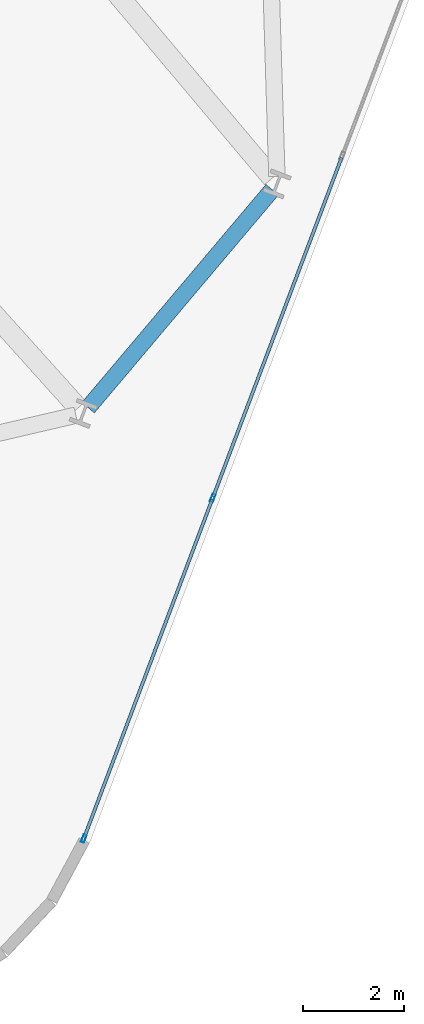
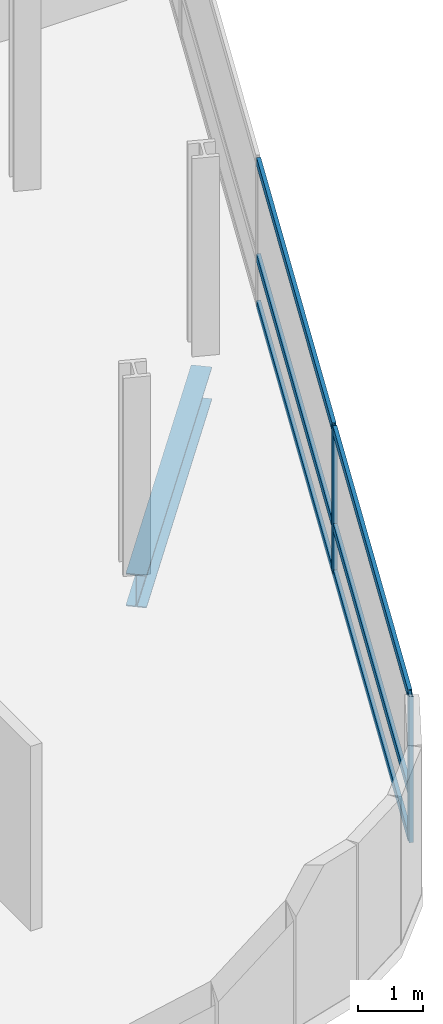
# One storey, part 10 of 25: 8 members, 1 beam, 1 element without a shape of its own.
"""IFC4 building model written with IfcOpenShell, lengths in metres."""

from ifc_helpers import new_model, si_unit, direction, frame, origin, origin_2d, place, context, subcontext, project, spatial, hollow_rectangle, i_section, extrude, material, layer, layer_set, material_profile, profile_set, type_object, element, aggregate, save


model = new_model("IFC4")

# Units and contexts
model_context = context("Model", 3, precision=1e-05, world=origin(), true_north=direction((0.0, 1.0)))
body_context = subcontext(model_context, "Body", "Model", "MODEL_VIEW")
ifc_project = project(units=[si_unit("LENGTHUNIT", "METRE"), si_unit("AREAUNIT", "SQUARE_METRE"), si_unit("VOLUMEUNIT", "CUBIC_METRE"), si_unit("PLANEANGLEUNIT", "RADIAN"), si_unit("MASSUNIT", "GRAM", prefix="KILO")], contexts=[model_context])

# Site, building, storey
site_placement = place(None, origin())
site = spatial("IfcSite", under=ifc_project, at=site_placement, CompositionType="ELEMENT")
building_placement = place(site_placement, origin())
building = spatial("IfcBuilding", under=site, at=building_placement, Name="Varnelok Gate Tower", CompositionType="ELEMENT")
storey_placement = place(building_placement, frame((0.0, 0.0, 79.89990234375)))
storey = spatial("IfcBuildingStorey", under=building, at=storey_placement, Name="L19", CompositionType="ELEMENT", Elevation=79.89990234375)

# Beam
ifc_material_1 = material(Name="Structural Steel ASTM A992 Grade 50", Category="steel")
ifc_material_profile_1 = material_profile(ifc_material_1, i_section(OverallWidth=0.323974609375, OverallDepth=0.611083984375, WebThickness=0.0126953125, FlangeThickness=0.01904296875, FilletRadius=0.01806640625, at=origin_2d()), Name="W24X104")
ifc_profile_set_1 = profile_set([ifc_material_profile_1], Name="Structural Steel ASTM A992 Grade 50")
beam_type = type_object("IfcBeamType", Name="BM-SPN-W24X104", PredefinedType="SPANDREL", material=ifc_profile_set_1)
beam_placement = place(storey_placement, frame((67.7333984375, 3.7421875, -0.555419921875), z_axis=(0.645380340265, 0.763861385592, 0.0), x_axis=(-0.763861385592, 0.645380340265, 0.0)))
element("IfcBeam", 1, at=beam_placement, inside=storey, type_object=beam_type, Name="L19 Perimeter Spandrel Beam 6", PredefinedType="SPANDREL", context=body_context, shape_type="SweptSolid", body=[
    extrude(i_section(OverallWidth=0.323974609375, OverallDepth=0.611083984375, WebThickness=0.0126953125, FlangeThickness=0.01904296875, FilletRadius=0.01806640625, at=origin_2d()), origin(), (0.0, 0.0, 1.0), 5.650146484375),
])

# Curtain wall, members
ifc_material_2 = material(Name="Anodized Aluminum Alloy 6063-T6", Category="aluminium")
ifc_layer = layer(ifc_material_2, 0.179931640625)
ifc_layer_set = layer_set([ifc_layer], Name="Anodized Aluminum Alloy 6063-T6")
curtain_wall_type = type_object("IfcCurtainWallType", Name="CW3-HOTEL-VISION", PredefinedType="USERDEFINED", material=ifc_layer_set)
curtain_wall_placement = place(storey_placement, origin())
curtain_wall = element("IfcCurtainWall", 2, at=curtain_wall_placement, inside=storey, type_object=curtain_wall_type, Name="L19 East End Vision Curtain Wall", ObjectType="UNITISED CURTAIN WALL", PredefinedType="USERDEFINED")
ifc_material_profile_2 = material_profile(ifc_material_2, hollow_rectangle(XDim=0.06494140625, YDim=0.159912109375, WallThickness=0.00390625, at=origin_2d()), Name="ALU160X65X4")
ifc_profile_set_2 = profile_set([ifc_material_profile_2], Name="Anodized Aluminum Alloy 6063-T6")
member_type_1 = type_object("IfcMemberType", Name="CW-MULL-160", PredefinedType="MULLION", material=ifc_profile_set_2)
member_1_placement = place(storey_placement, frame((70.201171875, 1.951171875, 0.0), z_axis=(0.0, 0.0, 1.0), x_axis=(0.935221323688, -0.354063660545, 0.0)))
member_1 = element("IfcMember", 3, at=member_1_placement, type_object=member_type_1, Name="CW3 mullion 5", PredefinedType="MULLION", context=body_context, shape_type="SweptSolid", body=[
    extrude(hollow_rectangle(XDim=0.06494140625, YDim=0.159912109375, WallThickness=0.00390625, at=origin_2d()), origin(), (0.0, 0.0, 1.0), 2.72998046875),
])
member_2_placement = place(storey_placement, frame((67.6494140625, -4.78955078125, 0.0), z_axis=(0.0, 0.0, 1.0), x_axis=(0.935221323688, -0.354063660545, 0.0)))
member_2 = element("IfcMember", 4, at=member_2_placement, type_object=member_type_1, Name="CW3 mullion 6", PredefinedType="MULLION", context=body_context, shape_type="SweptSolid", body=[
    extrude(hollow_rectangle(XDim=0.06494140625, YDim=0.159912109375, WallThickness=0.00390625, at=origin_2d()), origin(), (0.0, 0.0, 1.0), 2.72998046875),
])
ifc_material_profile_3 = material_profile(ifc_material_2, hollow_rectangle(XDim=0.06494140625, YDim=0.159912109375, WallThickness=0.00390625, at=origin_2d()), Name="ALU160X65X4")
ifc_profile_set_3 = profile_set([ifc_material_profile_3], Name="Anodized Aluminum Alloy 6063-T6")
member_type_2 = type_object("IfcMemberType", Name="CW-TRAN-160", PredefinedType="USERDEFINED", material=ifc_profile_set_3)
member_3_placement = place(storey_placement, frame((72.753173828125, 8.691650390625, 0.03271484375), z_axis=(-0.354078724634, -0.935215620465, 0.0), x_axis=(0.935215620465, -0.354078724634, 0.0)))
member_3 = element("IfcMember", 5, at=member_3_placement, type_object=member_type_2, Name="CW3 transom 4.1", ObjectType="TRANSOM", PredefinedType="USERDEFINED", context=body_context, shape_type="SweptSolid", body=[
    extrude(hollow_rectangle(XDim=0.06494140625, YDim=0.159912109375, WallThickness=0.00390625, at=origin_2d()), origin(), (0.0, 0.0, 1.0), 7.175048828125),
])
member_4_placement = place(storey_placement, frame((72.753173828125, 8.691650390625, 0.900146484375), z_axis=(-0.354078724634, -0.935215620465, 0.0), x_axis=(0.935215620465, -0.354078724634, 0.0)))
member_4 = element("IfcMember", 6, at=member_4_placement, type_object=member_type_2, Name="CW3 transom 4.2", ObjectType="TRANSOM", PredefinedType="USERDEFINED", context=body_context, shape_type="SweptSolid", body=[
    extrude(hollow_rectangle(XDim=0.06494140625, YDim=0.159912109375, WallThickness=0.00390625, at=origin_2d()), origin(), (0.0, 0.0, 1.0), 7.175048828125),
])
member_5_placement = place(storey_placement, frame((72.753173828125, 8.691650390625, 2.697509765625), z_axis=(-0.354078724634, -0.935215620465, 0.0), x_axis=(0.935215620465, -0.354078724634, 0.0)))
member_5 = element("IfcMember", 7, at=member_5_placement, type_object=member_type_2, Name="CW3 transom 4.3", ObjectType="TRANSOM", PredefinedType="USERDEFINED", context=body_context, shape_type="SweptSolid", body=[
    extrude(hollow_rectangle(XDim=0.06494140625, YDim=0.159912109375, WallThickness=0.00390625, at=origin_2d()), origin(), (0.0, 0.0, 1.0), 7.175048828125),
])
member_6_placement = place(storey_placement, frame((70.189697265625, 1.920654296875, 0.03271484375), z_axis=(-0.354058568643, -0.935223251406, 0.0), x_axis=(0.935223251406, -0.354058568643, 0.0)))
member_6 = element("IfcMember", 8, at=member_6_placement, type_object=member_type_2, Name="CW3 transom 5.1", ObjectType="TRANSOM", PredefinedType="USERDEFINED", context=body_context, shape_type="SweptSolid", body=[
    extrude(hollow_rectangle(XDim=0.06494140625, YDim=0.159912109375, WallThickness=0.00390625, at=origin_2d()), origin(), (0.0, 0.0, 1.0), 7.142333984375),
])
member_7_placement = place(storey_placement, frame((70.189697265625, 1.920654296875, 0.900146484375), z_axis=(-0.354058568643, -0.935223251406, 0.0), x_axis=(0.935223251406, -0.354058568643, 0.0)))
member_7 = element("IfcMember", 9, at=member_7_placement, type_object=member_type_2, Name="CW3 transom 5.2", ObjectType="TRANSOM", PredefinedType="USERDEFINED", context=body_context, shape_type="SweptSolid", body=[
    extrude(hollow_rectangle(XDim=0.06494140625, YDim=0.159912109375, WallThickness=0.00390625, at=origin_2d()), origin(), (0.0, 0.0, 1.0), 7.142333984375),
])
member_8_placement = place(storey_placement, frame((70.189697265625, 1.920654296875, 2.697509765625), z_axis=(-0.354058568643, -0.935223251406, 0.0), x_axis=(0.935223251406, -0.354058568643, 0.0)))
member_8 = element("IfcMember", 10, at=member_8_placement, type_object=member_type_2, Name="CW3 transom 5.3", ObjectType="TRANSOM", PredefinedType="USERDEFINED", context=body_context, shape_type="SweptSolid", body=[
    extrude(hollow_rectangle(XDim=0.06494140625, YDim=0.159912109375, WallThickness=0.00390625, at=origin_2d()), origin(), (0.0, 0.0, 1.0), 7.142333984375),
])
aggregate(curtain_wall, [member_1, member_2, member_3, member_4, member_5, member_6, member_7, member_8])

save(model, "model.ifc")
